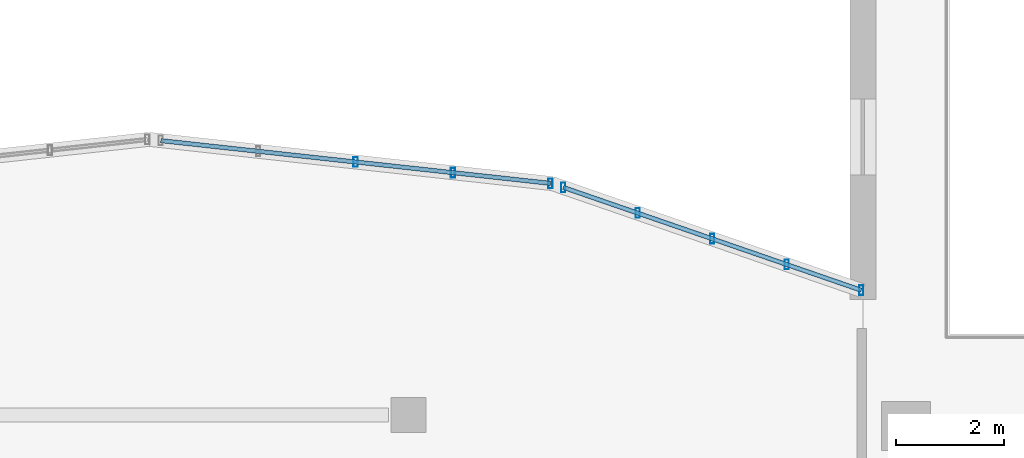
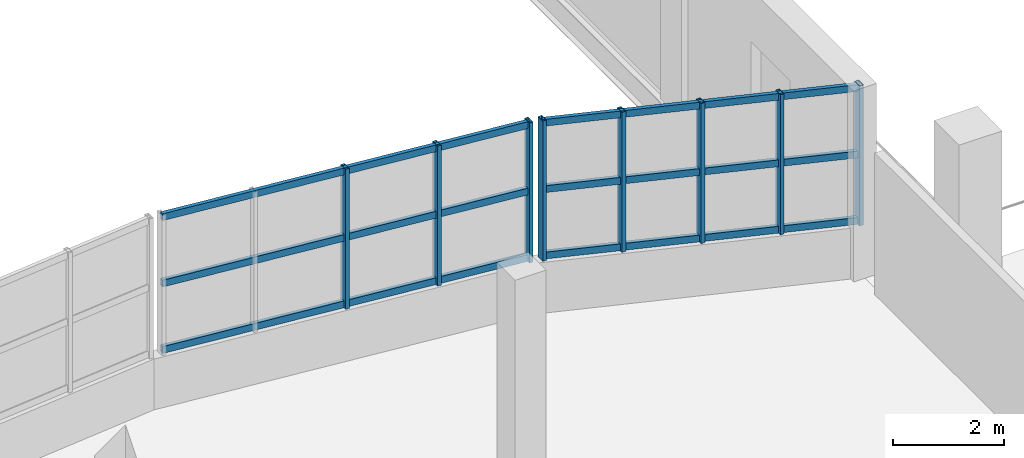
# One storey, part 27 of 50: 14 members, 2 elements without a shape of their own.
"""IFC4 building model written with IfcOpenShell, lengths in metres."""

from ifc_helpers import new_model, si_unit, direction, frame, origin, origin_2d, place, context, subcontext, project, spatial, hollow_rectangle, extrude, material, material_profile, profile_set, type_object, element, aggregate, save


model = new_model("IFC4")

# Units and contexts
model_context = context("Model", 3, precision=1e-05, world=origin(), true_north=direction((0.0, 1.0)))
body_context = subcontext(model_context, "Body", "Model", "MODEL_VIEW")
ifc_project = project(units=[si_unit("LENGTHUNIT", "METRE"), si_unit("AREAUNIT", "SQUARE_METRE"), si_unit("VOLUMEUNIT", "CUBIC_METRE"), si_unit("PLANEANGLEUNIT", "RADIAN"), si_unit("MASSUNIT", "GRAM", prefix="KILO")], contexts=[model_context])

# Site, building, storey
site_placement = place(None, origin())
site = spatial("IfcSite", under=ifc_project, at=site_placement, CompositionType="ELEMENT")
building_placement = place(site_placement, origin())
building = spatial("IfcBuilding", under=site, at=building_placement, Name="Solvento Point Concert Hall", CompositionType="ELEMENT")
storey_placement = place(building_placement, frame((0.0, 0.0, 15.0)))
storey = spatial("IfcBuildingStorey", under=building, at=storey_placement, Name="L03", CompositionType="ELEMENT", Elevation=15.0)

# Curtain wall, members
ifc_material_1 = material(Name="Anodized Bronze Aluminium", Category="aluminium")
curtain_wall_type = type_object("IfcCurtainWallType", Name="CurtainWall_RingRibbon_L03_04", PredefinedType="USERDEFINED", material=ifc_material_1)
curtain_wall_1_placement = place(storey_placement, origin())
curtain_wall_1 = element("IfcCurtainWall", 1, at=curtain_wall_1_placement, inside=storey, type_object=curtain_wall_type, Name="Unitised curtain wall CW-31 UCW-L03-197", ObjectType="UNITISED CURTAIN WALL", PredefinedType="USERDEFINED")
ifc_material_2 = material(Name="Anodized Bronze Aluminium", Category="aluminium")
ifc_material_profile_1 = material_profile(ifc_material_2, hollow_rectangle(XDim=0.080078125, YDim=0.179931640625, WallThickness=0.00390625, at=origin_2d()), Name="CW-MUL-80X180")
ifc_profile_set_1 = profile_set([ifc_material_profile_1], Name="Anodized Bronze Aluminium")
member_type_1 = type_object("IfcMemberType", Name="Mullion_80x180", PredefinedType="MULLION", material=ifc_profile_set_1)
member_1_placement = place(storey_placement, frame((65.021484375, 55.6806640625, 1.1201171875), z_axis=(0.0, 0.0, 1.0), x_axis=(1.0, 0.0, 0.0)))
member_1 = element("IfcMember", 2, at=member_1_placement, type_object=member_type_1, Name="Curtain wall mullion ML-01", PredefinedType="MULLION", context=body_context, shape_type="SweptSolid", body=[
    extrude(hollow_rectangle(XDim=0.080078125, YDim=0.179931640625, WallThickness=0.00390625, at=origin_2d()), origin(), (0.0, 0.0, 1.0), 3.08984375),
])
member_2_placement = place(storey_placement, frame((66.82275390625, 55.483154296875, 1.1201171875), z_axis=(0.0, 0.0, 1.0), x_axis=(1.0, 0.0, 0.0)))
member_2 = element("IfcMember", 3, at=member_2_placement, type_object=member_type_1, Name="Curtain wall mullion ML-01", PredefinedType="MULLION", context=body_context, shape_type="SweptSolid", body=[
    extrude(hollow_rectangle(XDim=0.080078125, YDim=0.179931640625, WallThickness=0.00390625, at=origin_2d()), origin(), (0.0, 0.0, 1.0), 3.08984375),
])
member_3_placement = place(storey_placement, frame((68.624267578125, 55.285400390625, 1.1201171875), z_axis=(0.0, 0.0, 1.0), x_axis=(1.0, 0.0, 0.0)))
member_3 = element("IfcMember", 4, at=member_3_placement, type_object=member_type_1, Name="Curtain wall mullion ML-01", PredefinedType="MULLION", context=body_context, shape_type="SweptSolid", body=[
    extrude(hollow_rectangle(XDim=0.080078125, YDim=0.179931640625, WallThickness=0.00390625, at=origin_2d()), origin(), (0.0, 0.0, 1.0), 3.08984375),
])

curtain_wall_2_placement = place(storey_placement, origin())
curtain_wall_2 = element("IfcCurtainWall", 5, at=curtain_wall_2_placement, inside=storey, type_object=curtain_wall_type, Name="Unitised curtain wall CW-31 UCW-L03-198", ObjectType="UNITISED CURTAIN WALL", PredefinedType="USERDEFINED")
member_4_placement = place(storey_placement, frame((68.862060546875, 55.21044921875, 1.1201171875), z_axis=(0.0, 0.0, 1.0), x_axis=(1.0, 0.0, 0.0)))
member_4 = element("IfcMember", 6, at=member_4_placement, type_object=member_type_1, Name="Curtain wall mullion ML-01", PredefinedType="MULLION", context=body_context, shape_type="SweptSolid", body=[
    extrude(hollow_rectangle(XDim=0.080078125, YDim=0.179931640625, WallThickness=0.00390625, at=origin_2d()), origin(), (0.0, 0.0, 1.0), 3.08984375),
])
member_5_placement = place(storey_placement, frame((70.239501953125, 54.735107421875, 1.1201171875), z_axis=(0.0, 0.0, 1.0), x_axis=(1.0, 0.0, 0.0)))
member_5 = element("IfcMember", 7, at=member_5_placement, type_object=member_type_1, Name="Curtain wall mullion ML-01", PredefinedType="MULLION", context=body_context, shape_type="SweptSolid", body=[
    extrude(hollow_rectangle(XDim=0.080078125, YDim=0.179931640625, WallThickness=0.00390625, at=origin_2d()), origin(), (0.0, 0.0, 1.0), 3.08984375),
])
member_6_placement = place(storey_placement, frame((71.61669921875, 54.259521484375, 1.1201171875), z_axis=(0.0, 0.0, 1.0), x_axis=(1.0, 0.0, 0.0)))
member_6 = element("IfcMember", 8, at=member_6_placement, type_object=member_type_1, Name="Curtain wall mullion ML-01", PredefinedType="MULLION", context=body_context, shape_type="SweptSolid", body=[
    extrude(hollow_rectangle(XDim=0.080078125, YDim=0.179931640625, WallThickness=0.00390625, at=origin_2d()), origin(), (0.0, 0.0, 1.0), 3.08984375),
])
member_7_placement = place(storey_placement, frame((72.994140625, 53.783935546875, 1.1201171875), z_axis=(0.0, 0.0, 1.0), x_axis=(1.0, 0.0, 0.0)))
member_7 = element("IfcMember", 9, at=member_7_placement, type_object=member_type_1, Name="Curtain wall mullion ML-01", PredefinedType="MULLION", context=body_context, shape_type="SweptSolid", body=[
    extrude(hollow_rectangle(XDim=0.080078125, YDim=0.179931640625, WallThickness=0.00390625, at=origin_2d()), origin(), (0.0, 0.0, 1.0), 3.08984375),
])
member_8_placement = place(storey_placement, frame((74.37158203125, 53.30859375, 1.1201171875), z_axis=(0.0, 0.0, 1.0), x_axis=(1.0, 0.0, 0.0)))
member_8 = element("IfcMember", 10, at=member_8_placement, type_object=member_type_1, Name="Curtain wall mullion ML-01", PredefinedType="MULLION", context=body_context, shape_type="SweptSolid", body=[
    extrude(hollow_rectangle(XDim=0.080078125, YDim=0.179931640625, WallThickness=0.00390625, at=origin_2d()), origin(), (0.0, 0.0, 1.0), 3.08984375),
])

# Member
ifc_material_3 = material(Name="Anodized Bronze Aluminium", Category="aluminium")
ifc_material_profile_2 = material_profile(ifc_material_3, hollow_rectangle(XDim=0.080078125, YDim=0.14990234375, WallThickness=0.00390625, at=origin_2d()), Name="CW-TRN-80X150")
ifc_profile_set_2 = profile_set([ifc_material_profile_2], Name="Anodized Bronze Aluminium")
member_type_2 = type_object("IfcMemberType", Name="Transom_80x150", PredefinedType="USERDEFINED", material=ifc_profile_set_2)
member_9_placement = place(storey_placement, frame((61.418701171875, 56.075927734375, 1.199951171875), z_axis=(0.994035576175, -0.109056285006, 0.0), x_axis=(0.109056285006, 0.994035576175, 0.0)))
member_9 = element("IfcMember", 11, at=member_9_placement, type_object=member_type_2, Name="Curtain wall transom TR-01", ObjectType="TRANSOM", PredefinedType="USERDEFINED", context=body_context, shape_type="SweptSolid", body=[
    extrude(hollow_rectangle(XDim=0.080078125, YDim=0.14990234375, WallThickness=0.00390625, at=origin_2d()), origin(), (0.0, 0.0, 1.0), 7.248779296875),
])

member_10_placement = place(storey_placement, frame((61.418701171875, 56.075927734375, 2.6650390625), z_axis=(0.994035576175, -0.109056285006, 0.0), x_axis=(0.109056285006, 0.994035576175, 0.0)))
member_10 = element("IfcMember", 12, at=member_10_placement, type_object=member_type_2, Name="Curtain wall transom TR-01", ObjectType="TRANSOM", PredefinedType="USERDEFINED", context=body_context, shape_type="SweptSolid", body=[
    extrude(hollow_rectangle(XDim=0.080078125, YDim=0.14990234375, WallThickness=0.00390625, at=origin_2d()), origin(), (0.0, 0.0, 1.0), 7.248779296875),
])

member_11_placement = place(storey_placement, frame((61.418701171875, 56.075927734375, 4.1298828125), z_axis=(0.994035576175, -0.109056285006, 0.0), x_axis=(0.109056285006, 0.994035576175, 0.0)))
member_11 = element("IfcMember", 13, at=member_11_placement, type_object=member_type_2, Name="Curtain wall transom TR-01", ObjectType="TRANSOM", PredefinedType="USERDEFINED", context=body_context, shape_type="SweptSolid", body=[
    extrude(hollow_rectangle(XDim=0.080078125, YDim=0.14990234375, WallThickness=0.00390625, at=origin_2d()), origin(), (0.0, 0.0, 1.0), 7.248779296875),
])

aggregate(curtain_wall_1, [member_1, member_2, member_3, member_9, member_10, member_11])

member_12_placement = place(storey_placement, frame((68.862060546875, 55.21044921875, 1.199951171875), z_axis=(0.945266098735, -0.32630047898, 0.0), x_axis=(0.32630047898, 0.945266098735, 0.0)))
member_12 = element("IfcMember", 14, at=member_12_placement, type_object=member_type_2, Name="Curtain wall transom TR-01", ObjectType="TRANSOM", PredefinedType="USERDEFINED", context=body_context, shape_type="SweptSolid", body=[
    extrude(hollow_rectangle(XDim=0.080078125, YDim=0.14990234375, WallThickness=0.00390625, at=origin_2d()), origin(), (0.0, 0.0, 1.0), 5.82861328125),
])

member_13_placement = place(storey_placement, frame((68.862060546875, 55.21044921875, 2.6650390625), z_axis=(0.945266098735, -0.32630047898, 0.0), x_axis=(0.32630047898, 0.945266098735, 0.0)))
member_13 = element("IfcMember", 15, at=member_13_placement, type_object=member_type_2, Name="Curtain wall transom TR-01", ObjectType="TRANSOM", PredefinedType="USERDEFINED", context=body_context, shape_type="SweptSolid", body=[
    extrude(hollow_rectangle(XDim=0.080078125, YDim=0.14990234375, WallThickness=0.00390625, at=origin_2d()), origin(), (0.0, 0.0, 1.0), 5.82861328125),
])

member_14_placement = place(storey_placement, frame((68.862060546875, 55.21044921875, 4.1298828125), z_axis=(0.945266098735, -0.32630047898, 0.0), x_axis=(0.32630047898, 0.945266098735, 0.0)))
member_14 = element("IfcMember", 16, at=member_14_placement, type_object=member_type_2, Name="Curtain wall transom TR-01", ObjectType="TRANSOM", PredefinedType="USERDEFINED", context=body_context, shape_type="SweptSolid", body=[
    extrude(hollow_rectangle(XDim=0.080078125, YDim=0.14990234375, WallThickness=0.00390625, at=origin_2d()), origin(), (0.0, 0.0, 1.0), 5.82861328125),
])

aggregate(curtain_wall_2, [member_4, member_5, member_6, member_7, member_8, member_12, member_13, member_14])

save(model, "model.ifc")
